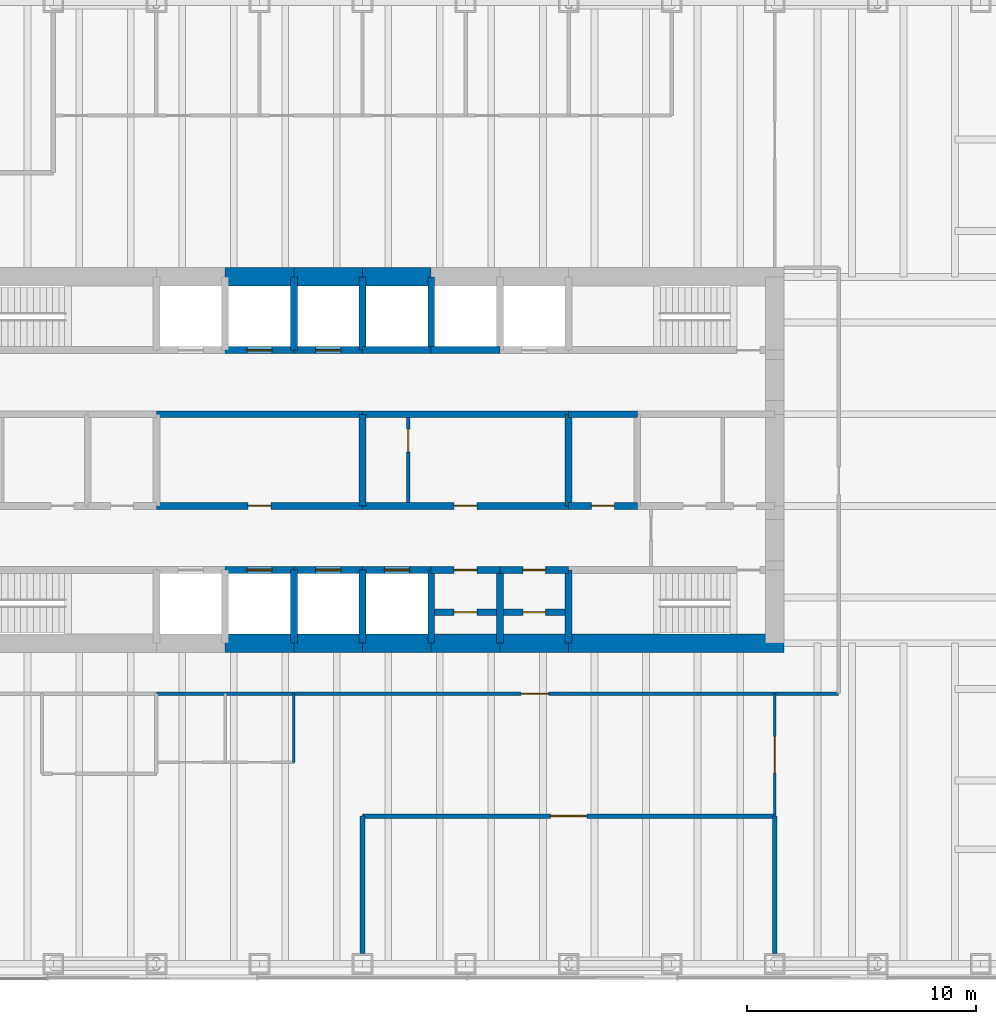
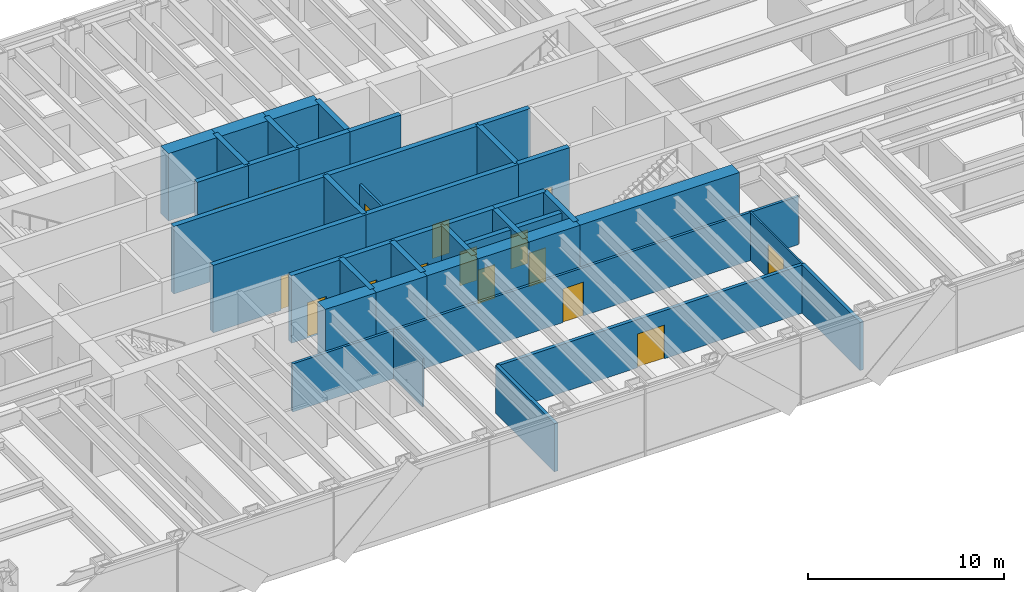
# One storey, part 11 of 14: 43 walls, 16 doors, 16 openings.
"""IFC4 building model written with IfcOpenShell, lengths in metres."""

import ifcopenshell
import ifcopenshell.guid

model = None  # the IFC model being written
_history = None  # IfcOwnerHistory: only IFC2X3 demands one
_inside = {}  # id of a spatial element -> (the spatial element, [elements in it])
_under = {}  # id of a project, library or spatial element -> (it, [spatial elements below it])
_declared = {}  # id of a project -> (the project, [libraries it declares])
_typed = {}  # id of a type object -> (the type object, [elements of that type])
_made_of = {}  # id of a material, layer set ... -> (it, [elements and type objects made of it])


def new_model(schema):
    """Start an empty IFC model of exactly this schema.

    Asked for "IFC4X3", IfcOpenShell would pick the latest addendum, in which some entities
    have other attributes; the version numbers below select the first issue.
    IFC2X3 requires an IfcOwnerHistory on every rooted entity: one is made here for all.
    """
    global model, _history
    if schema == "IFC4X3":
        model = ifcopenshell.file(schema_version=(4, 3, 0, 0))
    else:
        model = ifcopenshell.file(schema=schema)
    _inside.clear()
    _under.clear()
    _declared.clear()
    _typed.clear()
    _made_of.clear()
    _history = None
    if model.schema == "IFC2X3":
        org = make("IfcOrganization", Name="unknown")
        user = make(
            "IfcPersonAndOrganization",
            ThePerson=make("IfcPerson", FamilyName="unknown"),
            TheOrganization=org,
        )
        app = make(
            "IfcApplication",
            ApplicationDeveloper=org,
            Version="unknown",
            ApplicationFullName="unknown",
            ApplicationIdentifier="unknown",
        )
        _history = make(
            "IfcOwnerHistory",
            OwningUser=user,
            OwningApplication=app,
            ChangeAction="ADDED",
            CreationDate=0,
        )
    return model


def make(cls, **values):
    """One entity of the class cls with the attributes given. An attribute that is None is left unset."""
    return model.create_entity(
        cls, **{name: value for name, value in values.items() if value is not None}
    )


def rooted(cls, **values):
    """An entity with a GlobalId (a new one), such as an element, a storey or a relation."""
    return make(cls, GlobalId=ifcopenshell.guid.new(), OwnerHistory=_history, **values)


def si_unit(unit_type, name, prefix=None):
    """IfcSIUnit, for example si_unit("LENGTHUNIT", "METRE", prefix="MILLI")."""
    return make("IfcSIUnit", UnitType=unit_type, Prefix=prefix, Name=name)


def assignment(units):
    """IfcUnitAssignment: the units of a project."""
    return None if units is None else make("IfcUnitAssignment", Units=units)


def point(xyz):
    """IfcCartesianPoint."""
    return None if xyz is None else make("IfcCartesianPoint", Coordinates=xyz)


def direction(xyz):
    """IfcDirection."""
    return None if xyz is None else make("IfcDirection", DirectionRatios=xyz)


def frame(location, z_axis=None, x_axis=None):
    """IfcAxis2Placement3D, a coordinate frame: its origin and axes. An axis left out is left unset."""
    return make(
        "IfcAxis2Placement3D",
        Location=point(location),
        Axis=direction(z_axis),
        RefDirection=direction(x_axis),
    )


def frame_2d(location, x_axis=None):
    """IfcAxis2Placement2D, a coordinate frame in the plane: its origin and x axis."""
    return make(
        "IfcAxis2Placement2D", Location=point(location), RefDirection=direction(x_axis)
    )


def origin():
    """The frame at (0, 0, 0) with its axes left unset."""
    return frame((0.0, 0.0, 0.0))


def place(relative_to, where):
    """IfcLocalPlacement: puts the frame where relative to a parent placement (None: the world)."""
    return make(
        "IfcLocalPlacement", PlacementRelTo=relative_to, RelativePlacement=where
    )


def context(
    kind, dimensions, precision=None, world=None, true_north=None, identifier=None
):
    """IfcGeometricRepresentationContext, for example the 3D "Model" context."""
    return make(
        "IfcGeometricRepresentationContext",
        ContextIdentifier=identifier,
        ContextType=kind,
        CoordinateSpaceDimension=dimensions,
        Precision=precision,
        WorldCoordinateSystem=world,
        TrueNorth=true_north,
    )


def subcontext(parent, identifier, kind, view, scale=None):
    """IfcGeometricRepresentationSubContext, for example "Body" below "Model"."""
    return make(
        "IfcGeometricRepresentationSubContext",
        ContextIdentifier=identifier,
        ContextType=kind,
        ParentContext=parent,
        TargetScale=scale,
        TargetView=view,
    )


def project(units=None, contexts=None):
    """IfcProject with its units and contexts."""
    return rooted(
        "IfcProject",
        Name="project",
        RepresentationContexts=contexts,
        UnitsInContext=assignment(units),
    )


def spatial(cls, under=None, at=None, **own):
    """A site, building, storey or space (cls), placed at a placement, below another one or the project."""
    s = rooted(cls, ObjectPlacement=at, **own)
    if under is not None:
        _under.setdefault(under.id(), (under, []))[1].append(s)
    return s


def profile(cls, at=None, kind="AREA", **sizes):
    """A parametric profile (cls). Its sizes go by their IFC names, for example OverallWidth=200.0."""
    return make(cls, ProfileType=kind, Position=at, **sizes)


def rectangle(**sizes):
    """IfcRectangleProfileDef."""
    return profile("IfcRectangleProfileDef", **sizes)


def extrude(swept, where, along, depth):
    """IfcExtrudedAreaSolid: the profile swept, set in the frame where, extruded along a direction by depth."""
    return make(
        "IfcExtrudedAreaSolid",
        SweptArea=swept,
        Position=where,
        ExtrudedDirection=direction(along),
        Depth=depth,
    )


def shape(context_of_items, identifier, shape_type, items):
    """IfcShapeRepresentation: the items that make up one representation, for example the "Body"."""
    return make(
        "IfcShapeRepresentation",
        ContextOfItems=context_of_items,
        RepresentationIdentifier=identifier,
        RepresentationType=shape_type,
        Items=items,
    )


def material(Name=None, Category=None):
    """IfcMaterial."""
    return make("IfcMaterial", Name=Name, Category=Category)


def layer(
    of_material, thickness, ventilated=None, Name=None, Category=None, Priority=None
):
    """IfcMaterialLayer: one layer of a wall or slab, of a material (None: an air gap)."""
    return make(
        "IfcMaterialLayer",
        Material=of_material,
        LayerThickness=thickness,
        IsVentilated=ventilated,
        Name=Name,
        Category=Category,
        Priority=Priority,
    )


def layer_set(layers, Name=None):
    """IfcMaterialLayerSet."""
    return make("IfcMaterialLayerSet", MaterialLayers=layers, LayerSetName=Name)


def made_of(thing, what):
    """Note that an element or type object is made of a material, layer set ...; save() writes the relation."""
    if what is not None:
        _made_of.setdefault(what.id(), (what, []))[1].append(thing)
    return thing


def type_object(cls, material=None, **own):
    """A type object (cls), such as IfcWallType, which elements share."""
    return made_of(rooted(cls, **own), material)


def element(
    cls,
    number,
    at=None,
    inside=None,
    cuts=None,
    type_object=None,
    material=None,
    context=None,
    identifier="Body",
    shape_type=None,
    held_by="IfcProductDefinitionShape",
    body=None,
    shapes=None,
    **own,
):
    """One element of the class cls, such as IfcWall. Its Tag is "e" and its number.

    at: its placement. inside: the storey or other place that contains it. cuts: it is an
    opening in that element (IfcRelVoidsElement). A single representation is given by context,
    identifier, shape_type and body (its items); several are given by shapes. held_by: the class
    of the entity that holds the representations. save() writes the other relations.
    """
    e = rooted(cls, Tag="e%d" % number, ObjectPlacement=at, **own)
    if body is not None:
        shapes = [shape(context, identifier, shape_type, body)]
    if shapes is not None:
        e.Representation = make(held_by, Representations=shapes)
    if inside is not None:
        _inside.setdefault(inside.id(), (inside, []))[1].append(e)
    if cuts is not None:
        rooted(
            "IfcRelVoidsElement", RelatingBuildingElement=cuts, RelatedOpeningElement=e
        )
    if type_object is not None:
        _typed.setdefault(type_object.id(), (type_object, []))[1].append(e)
    return made_of(e, material)


def fill(opening, filler):
    """IfcRelFillsElement: the door or window that sits in an opening."""
    return rooted(
        "IfcRelFillsElement",
        RelatingOpeningElement=opening,
        RelatedBuildingElement=filler,
    )


def aggregate(whole, parts):
    """IfcRelAggregates: a whole, such as a stair, and the parts it consists of."""
    return rooted("IfcRelAggregates", RelatingObject=whole, RelatedObjects=parts)


def save(model, path):
    """Write the relations noted so far, then the file.

    IfcRelAggregates (storeys below a building ...), IfcRelContainedInSpatialStructure (elements
    in a storey), IfcRelDefinesByType, IfcRelAssociatesMaterial and IfcRelDeclares: one each for
    every whole, place, type object, material and project.
    """
    for whole, parts in _under.values():
        aggregate(whole, parts)
    for where, things in _inside.values():
        rooted(
            "IfcRelContainedInSpatialStructure",
            RelatedElements=things,
            RelatingStructure=where,
        )
    for kind, things in _typed.values():
        rooted("IfcRelDefinesByType", RelatedObjects=things, RelatingType=kind)
    for what, things in _made_of.values():
        rooted("IfcRelAssociatesMaterial", RelatedObjects=things, RelatingMaterial=what)
    for by, libraries in _declared.values():
        rooted("IfcRelDeclares", RelatingContext=by, RelatedDefinitions=libraries)
    model.write(path)


model = new_model("IFC4")

# Units and contexts
model_context = context("Model", 3, precision=1e-05, world=origin(), true_north=direction((0.0, 1.0)))
body_context = subcontext(model_context, "Body", "Model", "MODEL_VIEW")
ifc_project = project(units=[si_unit("LENGTHUNIT", "METRE"), si_unit("AREAUNIT", "SQUARE_METRE"), si_unit("VOLUMEUNIT", "CUBIC_METRE"), si_unit("PLANEANGLEUNIT", "RADIAN"), si_unit("MASSUNIT", "GRAM", prefix="KILO")], contexts=[model_context])

# Site, building, storey
site_placement = place(None, origin())
site = spatial("IfcSite", under=ifc_project, at=site_placement, CompositionType="ELEMENT")
building_placement = place(site_placement, origin())
building = spatial("IfcBuilding", under=site, at=building_placement, Name="Rheinbord Bourse Tower", CompositionType="ELEMENT")
storey_placement = place(building_placement, frame((0.0, 0.0, 232.0)))
storey = spatial("IfcBuildingStorey", under=building, at=storey_placement, Name="L52", CompositionType="ELEMENT", Elevation=232.0)

# Wall, opening, door
ifc_material_1 = material(Name="Acoustic gypsum board partition", Category="gypsum board")
ifc_layer_1 = layer(ifc_material_1, 0.199951171875)
ifc_layer_set_1 = layer_set([ifc_layer_1], Name="ACOUSTIC PARTITION 200")
wall_type_1 = type_object("IfcWallType", Name="ACOUSTIC PARTITION 200", PredefinedType="PARTITIONING", material=ifc_layer_set_1)
wall_1_placement = place(storey_placement, frame((36.0, 8.449951171875, 0.0), z_axis=(0.0, 0.0, 1.0), x_axis=(1.0, 0.0, 0.0)))
wall_1 = element("IfcWall", 1, at=wall_1_placement, inside=storey, type_object=wall_type_1, Name="Partition L52-01", PredefinedType="PARTITIONING", context=body_context, shape_type="SweptSolid", body=[
    extrude(rectangle(XDim=18.0, YDim=0.199951171875, at=frame_2d((9.0, 0.0))), origin(), (0.0, 0.0, 1.0), 3.0),
])
opening_1_placement = place(wall_1_placement, frame((8.199951171875, 0.0, 0.0)))
opening_1 = element("IfcOpeningElement", 2, at=opening_1_placement, cuts=wall_1, Name="Opening 52D01", PredefinedType="OPENING", context=body_context, shape_type="SweptSolid", body=[
    extrude(rectangle(XDim=1.60009765625, YDim=2.10009765625, at=frame_2d((0.800048828125, 1.050048828125))), frame((0.0, 0.10986328125, 0.0), z_axis=(0.0, -1.0, 0.0), x_axis=(1.0, 0.0, 0.0)), (0.0, 0.0, 1.0), 0.219970703125),
])
ifc_material_2 = material(Name="Timber door", Category="wood")
door_type_1 = type_object("IfcDoorType", Name="DOUBLE ROOM DOOR 1600", OperationType="DOUBLE_DOOR_DOUBLE_SWING", PredefinedType="DOOR", material=ifc_material_2)
door_1_placement = place(opening_1_placement, origin())
door_1 = element("IfcDoor", 3, at=door_1_placement, inside=storey, type_object=door_type_1, Name="Dealing room door L52", OperationType="SINGLE_SWING_LEFT", OverallHeight=2.10009765625, OverallWidth=1.60009765625, PredefinedType="DOOR", context=body_context, shape_type="SweptSolid", body=[
    extrude(rectangle(XDim=1.60009765625, YDim=2.10009765625, at=frame_2d((0.800048828125, 1.050048828125))), frame((0.0, 0.02490234375, 0.0), z_axis=(0.0, -1.0, 0.0), x_axis=(1.0, 0.0, 0.0)), (0.0, 0.0, 1.0), 0.050048828125),
])
fill(opening_1, door_1)

# Walls
for number, where, z_axis, x_axis, name in (
    (4, (36.0, 2.449951171875, 0.0), (0.0, 0.0, 1.0), (0.0, 1.0, 0.0), "Partition L52-32"),
    (5, (54.0, 2.449951171875, 0.0), (0.0, 0.0, 1.0), (0.0, 1.0, 0.0), "Partition L52-37"),
):
    element("IfcWall", number, at=place(storey_placement, frame(where, z_axis=z_axis, x_axis=x_axis)), inside=storey, type_object=wall_type_1, Name=name, PredefinedType="PARTITIONING", context=body_context, shape_type="SweptSolid", body=[
        extrude(rectangle(XDim=6.0, YDim=0.199951171875, at=frame_2d((3.0, 0.0))), origin(), (0.0, 0.0, 1.0), 3.0),
    ])

# Wall, opening, door
ifc_material_3 = material(Name="Concrete C50/60", Category="concrete")
ifc_layer_2 = layer(ifc_material_3, 0.300048828125)
ifc_layer_set_2 = layer_set([ifc_layer_2], Name="CORE INNER WALL 300")
wall_type_2 = type_object("IfcWallType", Name="CORE INNER WALL 300", PredefinedType="SOLIDWALL", material=ifc_layer_set_2)
wall_2_placement = place(storey_placement, frame((30.0, 19.199951171875, 0.0), z_axis=(0.0, 0.0, 1.0), x_axis=(1.0, 0.0, 0.0)))
wall_2 = element("IfcWall", 6, at=wall_2_placement, inside=storey, type_object=wall_type_2, Name="Core wall A3 L52", PredefinedType="SOLIDWALL", context=body_context, shape_type="SweptSolid", body=[
    extrude(rectangle(XDim=3.0, YDim=0.300048828125, at=frame_2d((1.5, 0.0))), origin(), (0.0, 0.0, 1.0), 4.199951171875),
])
opening_2_placement = place(wall_2_placement, frame((0.949951171875, 0.0, 0.0)))
opening_2 = element("IfcOpeningElement", 7, at=opening_2_placement, cuts=wall_2, Name="Opening PC1", PredefinedType="OPENING", context=body_context, shape_type="SweptSolid", body=[
    extrude(rectangle(XDim=1.10009765625, YDim=2.199951171875, at=frame_2d((0.550048828125, 1.10009765625))), frame((0.0, 0.159912109375, 0.0), z_axis=(0.0, -1.0, 0.0), x_axis=(1.0, 0.0, 0.0)), (0.0, 0.0, 1.0), 0.320068359375),
])
ifc_material_4 = material(Name="Steel landing door", Category="steel")
door_type_2 = type_object("IfcDoorType", Name="LIFT LANDING DOOR 1100", OperationType="DOUBLE_DOOR_SLIDING", PredefinedType="USERDEFINED", material=ifc_material_4)
door_2_placement = place(opening_2_placement, origin())
door_2 = element("IfcDoor", 8, at=door_2_placement, inside=storey, type_object=door_type_2, Name="Lift landing door PC1 L52", ObjectType="LIFT LANDING DOOR", OperationType="DOUBLE_DOOR_SLIDING", OverallHeight=2.199951171875, OverallWidth=1.10009765625, PredefinedType="USERDEFINED", context=body_context, shape_type="SweptSolid", body=[
    extrude(rectangle(XDim=1.10009765625, YDim=2.199951171875, at=frame_2d((0.550048828125, 1.10009765625))), frame((0.0, 0.02490234375, 0.0), z_axis=(0.0, -1.0, 0.0), x_axis=(1.0, 0.0, 0.0)), (0.0, 0.0, 1.0), 0.050048828125),
])
fill(opening_2, door_2)

wall_3_placement = place(storey_placement, frame((33.0, 19.199951171875, 0.0), z_axis=(0.0, 0.0, 1.0), x_axis=(1.0, 0.0, 0.0)))
wall_3 = element("IfcWall", 9, at=wall_3_placement, inside=storey, type_object=wall_type_2, Name="Core wall A4 L52", PredefinedType="SOLIDWALL", context=body_context, shape_type="SweptSolid", body=[
    extrude(rectangle(XDim=3.0, YDim=0.300048828125, at=frame_2d((1.5, 0.0))), origin(), (0.0, 0.0, 1.0), 4.199951171875),
])
opening_3_placement = place(wall_3_placement, frame((0.949951171875, 0.0, 0.0)))
opening_3 = element("IfcOpeningElement", 10, at=opening_3_placement, cuts=wall_3, Name="Opening PC2", PredefinedType="OPENING", context=body_context, shape_type="SweptSolid", body=[
    extrude(rectangle(XDim=1.10009765625, YDim=2.199951171875, at=frame_2d((0.550048828125, 1.10009765625))), frame((0.0, 0.159912109375, 0.0), z_axis=(0.0, -1.0, 0.0), x_axis=(1.0, 0.0, 0.0)), (0.0, 0.0, 1.0), 0.320068359375),
])
door_3_placement = place(opening_3_placement, origin())
door_3 = element("IfcDoor", 11, at=door_3_placement, inside=storey, type_object=door_type_2, Name="Lift landing door PC2 L52", ObjectType="LIFT LANDING DOOR", OperationType="DOUBLE_DOOR_SLIDING", OverallHeight=2.199951171875, OverallWidth=1.10009765625, PredefinedType="USERDEFINED", context=body_context, shape_type="SweptSolid", body=[
    extrude(rectangle(XDim=1.10009765625, YDim=2.199951171875, at=frame_2d((0.550048828125, 1.10009765625))), frame((0.0, 0.02490234375, 0.0), z_axis=(0.0, -1.0, 0.0), x_axis=(1.0, 0.0, 0.0)), (0.0, 0.0, 1.0), 0.050048828125),
])
fill(opening_3, door_3)

wall_4_placement = place(storey_placement, frame((36.0, 19.199951171875, 0.0), z_axis=(0.0, 0.0, 1.0), x_axis=(1.0, 0.0, 0.0)))
wall_4 = element("IfcWall", 12, at=wall_4_placement, inside=storey, type_object=wall_type_2, Name="Core wall A5 L52", PredefinedType="SOLIDWALL", context=body_context, shape_type="SweptSolid", body=[
    extrude(rectangle(XDim=3.0, YDim=0.300048828125, at=frame_2d((1.5, 0.0))), origin(), (0.0, 0.0, 1.0), 4.199951171875),
])
opening_4_placement = place(wall_4_placement, frame((0.949951171875, 0.0, 0.0)))
opening_4 = element("IfcOpeningElement", 13, at=opening_4_placement, cuts=wall_4, Name="Opening PC3", PredefinedType="OPENING", context=body_context, shape_type="SweptSolid", body=[
    extrude(rectangle(XDim=1.10009765625, YDim=2.199951171875, at=frame_2d((0.550048828125, 1.10009765625))), frame((0.0, 0.159912109375, 0.0), z_axis=(0.0, -1.0, 0.0), x_axis=(1.0, 0.0, 0.0)), (0.0, 0.0, 1.0), 0.320068359375),
])
door_4_placement = place(opening_4_placement, origin())
door_4 = element("IfcDoor", 14, at=door_4_placement, inside=storey, type_object=door_type_2, Name="Lift landing door PC3 L52", ObjectType="LIFT LANDING DOOR", OperationType="DOUBLE_DOOR_SLIDING", OverallHeight=2.199951171875, OverallWidth=1.10009765625, PredefinedType="USERDEFINED", context=body_context, shape_type="SweptSolid", body=[
    extrude(rectangle(XDim=1.10009765625, YDim=2.199951171875, at=frame_2d((0.550048828125, 1.10009765625))), frame((0.0, 0.02490234375, 0.0), z_axis=(0.0, -1.0, 0.0), x_axis=(1.0, 0.0, 0.0)), (0.0, 0.0, 1.0), 0.050048828125),
])
fill(opening_4, door_4)

wall_5_placement = place(storey_placement, frame((39.0, 19.199951171875, 0.0), z_axis=(0.0, 0.0, 1.0), x_axis=(1.0, 0.0, 0.0)))
wall_5 = element("IfcWall", 15, at=wall_5_placement, inside=storey, type_object=wall_type_2, Name="Core wall A6 L52", PredefinedType="SOLIDWALL", context=body_context, shape_type="SweptSolid", body=[
    extrude(rectangle(XDim=3.0, YDim=0.300048828125, at=frame_2d((1.5, 0.0))), origin(), (0.0, 0.0, 1.0), 4.199951171875),
])
opening_5_placement = place(wall_5_placement, frame((1.0, 0.0, 0.0)))
opening_5 = element("IfcOpeningElement", 16, at=opening_5_placement, cuts=wall_5, Name="Opening 52R8", PredefinedType="OPENING", context=body_context, shape_type="SweptSolid", body=[
    extrude(rectangle(XDim=1.0, YDim=2.10009765625, at=frame_2d((0.5, 1.050048828125))), frame((0.0, 0.159912109375, 0.0), z_axis=(0.0, -1.0, 0.0), x_axis=(1.0, 0.0, 0.0)), (0.0, 0.0, 1.0), 0.320068359375),
])
ifc_material_5 = material(Name="Steel door", Category="steel")
door_type_3 = type_object("IfcDoorType", Name="DOOR 1000 EI30", OperationType="SINGLE_SWING_LEFT", PredefinedType="DOOR", material=ifc_material_5)
door_5_placement = place(opening_5_placement, origin())
door_5 = element("IfcDoor", 17, at=door_5_placement, inside=storey, type_object=door_type_3, Name="Mail room door L52", OperationType="SINGLE_SWING_LEFT", OverallHeight=2.10009765625, OverallWidth=1.0, PredefinedType="DOOR", context=body_context, shape_type="SweptSolid", body=[
    extrude(rectangle(XDim=1.0, YDim=2.10009765625, at=frame_2d((0.5, 1.050048828125))), frame((0.0, 0.02490234375, 0.0), z_axis=(0.0, -1.0, 0.0), x_axis=(1.0, 0.0, 0.0)), (0.0, 0.0, 1.0), 0.050048828125),
])
fill(opening_5, door_5)

wall_6_placement = place(storey_placement, frame((42.0, 19.199951171875, 0.0), z_axis=(0.0, 0.0, 1.0), x_axis=(1.0, 0.0, 0.0)))
wall_6 = element("IfcWall", 18, at=wall_6_placement, inside=storey, type_object=wall_type_2, Name="Core wall A7 L52", PredefinedType="SOLIDWALL", context=body_context, shape_type="SweptSolid", body=[
    extrude(rectangle(XDim=3.0, YDim=0.300048828125, at=frame_2d((1.5, 0.0))), origin(), (0.0, 0.0, 1.0), 4.199951171875),
])
opening_6_placement = place(wall_6_placement, frame((1.0, 0.0, 0.0)))
opening_6 = element("IfcOpeningElement", 19, at=opening_6_placement, cuts=wall_6, Name="Opening 52R9", PredefinedType="OPENING", context=body_context, shape_type="SweptSolid", body=[
    extrude(rectangle(XDim=1.0, YDim=2.10009765625, at=frame_2d((0.5, 1.050048828125))), frame((0.0, 0.159912109375, 0.0), z_axis=(0.0, -1.0, 0.0), x_axis=(1.0, 0.0, 0.0)), (0.0, 0.0, 1.0), 0.320068359375),
])
door_6_placement = place(opening_6_placement, origin())
door_6 = element("IfcDoor", 20, at=door_6_placement, inside=storey, type_object=door_type_3, Name="Stationery store door L52", OperationType="SINGLE_SWING_LEFT", OverallHeight=2.10009765625, OverallWidth=1.0, PredefinedType="DOOR", context=body_context, shape_type="SweptSolid", body=[
    extrude(rectangle(XDim=1.0, YDim=2.10009765625, at=frame_2d((0.5, 1.050048828125))), frame((0.0, 0.02490234375, 0.0), z_axis=(0.0, -1.0, 0.0), x_axis=(1.0, 0.0, 0.0)), (0.0, 0.0, 1.0), 0.050048828125),
])
fill(opening_6, door_6)

wall_7_placement = place(storey_placement, frame((30.0, 28.800048828125, 0.0), z_axis=(0.0, 0.0, 1.0), x_axis=(1.0, 0.0, 0.0)))
wall_7 = element("IfcWall", 21, at=wall_7_placement, inside=storey, type_object=wall_type_2, Name="Core wall B3 L52", PredefinedType="SOLIDWALL", context=body_context, shape_type="SweptSolid", body=[
    extrude(rectangle(XDim=3.0, YDim=0.300048828125, at=frame_2d((1.5, 0.0))), origin(), (0.0, 0.0, 1.0), 4.199951171875),
])
opening_7_placement = place(wall_7_placement, frame((0.949951171875, 0.0, 0.0)))
opening_7 = element("IfcOpeningElement", 22, at=opening_7_placement, cuts=wall_7, Name="Opening PC4", PredefinedType="OPENING", context=body_context, shape_type="SweptSolid", body=[
    extrude(rectangle(XDim=1.10009765625, YDim=2.199951171875, at=frame_2d((0.550048828125, 1.10009765625))), frame((0.0, 0.159912109375, 0.0), z_axis=(0.0, -1.0, 0.0), x_axis=(1.0, 0.0, 0.0)), (0.0, 0.0, 1.0), 0.320068359375),
])
door_7_placement = place(opening_7_placement, origin())
door_7 = element("IfcDoor", 23, at=door_7_placement, inside=storey, type_object=door_type_2, Name="Lift landing door PC4 L52", ObjectType="LIFT LANDING DOOR", OperationType="DOUBLE_DOOR_SLIDING", OverallHeight=2.199951171875, OverallWidth=1.10009765625, PredefinedType="USERDEFINED", context=body_context, shape_type="SweptSolid", body=[
    extrude(rectangle(XDim=1.10009765625, YDim=2.199951171875, at=frame_2d((0.550048828125, 1.10009765625))), frame((0.0, 0.02490234375, 0.0), z_axis=(0.0, -1.0, 0.0), x_axis=(1.0, 0.0, 0.0)), (0.0, 0.0, 1.0), 0.050048828125),
])
fill(opening_7, door_7)

wall_8_placement = place(storey_placement, frame((33.0, 28.800048828125, 0.0), z_axis=(0.0, 0.0, 1.0), x_axis=(1.0, 0.0, 0.0)))
wall_8 = element("IfcWall", 24, at=wall_8_placement, inside=storey, type_object=wall_type_2, Name="Core wall B4 L52", PredefinedType="SOLIDWALL", context=body_context, shape_type="SweptSolid", body=[
    extrude(rectangle(XDim=3.0, YDim=0.300048828125, at=frame_2d((1.5, 0.0))), origin(), (0.0, 0.0, 1.0), 4.199951171875),
])
opening_8_placement = place(wall_8_placement, frame((0.949951171875, 0.0, 0.0)))
opening_8 = element("IfcOpeningElement", 25, at=opening_8_placement, cuts=wall_8, Name="Opening PC5", PredefinedType="OPENING", context=body_context, shape_type="SweptSolid", body=[
    extrude(rectangle(XDim=1.10009765625, YDim=2.199951171875, at=frame_2d((0.550048828125, 1.10009765625))), frame((0.0, 0.159912109375, 0.0), z_axis=(0.0, -1.0, 0.0), x_axis=(1.0, 0.0, 0.0)), (0.0, 0.0, 1.0), 0.320068359375),
])
door_8_placement = place(opening_8_placement, origin())
door_8 = element("IfcDoor", 26, at=door_8_placement, inside=storey, type_object=door_type_2, Name="Lift landing door PC5 L52", ObjectType="LIFT LANDING DOOR", OperationType="DOUBLE_DOOR_SLIDING", OverallHeight=2.199951171875, OverallWidth=1.10009765625, PredefinedType="USERDEFINED", context=body_context, shape_type="SweptSolid", body=[
    extrude(rectangle(XDim=1.10009765625, YDim=2.199951171875, at=frame_2d((0.550048828125, 1.10009765625))), frame((0.0, 0.02490234375, 0.0), z_axis=(0.0, -1.0, 0.0), x_axis=(1.0, 0.0, 0.0)), (0.0, 0.0, 1.0), 0.050048828125),
])
fill(opening_8, door_8)

# Walls
for number, where, z_axis, x_axis, name in (
    (27, (36.0, 28.800048828125, 0.0), (0.0, 0.0, 1.0), (1.0, 0.0, 0.0), "Core wall B5 L52"),
    (28, (39.0, 28.800048828125, 0.0), (0.0, 0.0, 1.0), (1.0, 0.0, 0.0), "Core wall B6 L52"),
):
    element("IfcWall", number, at=place(storey_placement, frame(where, z_axis=z_axis, x_axis=x_axis)), inside=storey, type_object=wall_type_2, Name=name, PredefinedType="SOLIDWALL", context=body_context, shape_type="SweptSolid", body=[
        extrude(rectangle(XDim=3.0, YDim=0.300048828125, at=frame_2d((1.5, 0.0))), origin(), (0.0, 0.0, 1.0), 4.199951171875),
    ])

# Wall, opening, door
wall_9_placement = place(storey_placement, frame((27.0, 22.0, 0.0), z_axis=(0.0, 0.0, 1.0), x_axis=(1.0, 0.0, 0.0)))
wall_9 = element("IfcWall", 29, at=wall_9_placement, inside=storey, type_object=wall_type_2, Name="Core wall C3 L52", PredefinedType="SOLIDWALL", context=body_context, shape_type="SweptSolid", body=[
    extrude(rectangle(XDim=9.0, YDim=0.300048828125, at=frame_2d((4.5, 0.0))), origin(), (0.0, 0.0, 1.0), 4.199951171875),
])
opening_9_placement = place(wall_9_placement, frame((4.0, 0.0, 0.0)))
opening_9 = element("IfcOpeningElement", 30, at=opening_9_placement, cuts=wall_9, Name="Opening 52R3", PredefinedType="OPENING", context=body_context, shape_type="SweptSolid", body=[
    extrude(rectangle(XDim=1.0, YDim=2.10009765625, at=frame_2d((0.5, 1.050048828125))), frame((0.0, 0.159912109375, 0.0), z_axis=(0.0, -1.0, 0.0), x_axis=(1.0, 0.0, 0.0)), (0.0, 0.0, 1.0), 0.320068359375),
])
door_9_placement = place(opening_9_placement, origin())
door_9 = element("IfcDoor", 31, at=door_9_placement, inside=storey, type_object=door_type_3, Name="Riser door L52", OperationType="SINGLE_SWING_LEFT", OverallHeight=2.10009765625, OverallWidth=1.0, PredefinedType="DOOR", context=body_context, shape_type="SweptSolid", body=[
    extrude(rectangle(XDim=1.0, YDim=2.10009765625, at=frame_2d((0.5, 1.050048828125))), frame((0.0, 0.02490234375, 0.0), z_axis=(0.0, -1.0, 0.0), x_axis=(1.0, 0.0, 0.0)), (0.0, 0.0, 1.0), 0.050048828125),
])
fill(opening_9, door_9)

wall_10_placement = place(storey_placement, frame((36.0, 22.0, 0.0), z_axis=(0.0, 0.0, 1.0), x_axis=(1.0, 0.0, 0.0)))
wall_10 = element("IfcWall", 32, at=wall_10_placement, inside=storey, type_object=wall_type_2, Name="Core wall C4 L52", PredefinedType="SOLIDWALL", context=body_context, shape_type="SweptSolid", body=[
    extrude(rectangle(XDim=9.0, YDim=0.300048828125, at=frame_2d((4.5, 0.0))), origin(), (0.0, 0.0, 1.0), 4.199951171875),
])
opening_10_placement = place(wall_10_placement, frame((4.0, 0.0, 0.0)))
opening_10 = element("IfcOpeningElement", 33, at=opening_10_placement, cuts=wall_10, Name="Opening 52R4", PredefinedType="OPENING", context=body_context, shape_type="SweptSolid", body=[
    extrude(rectangle(XDim=1.0, YDim=2.10009765625, at=frame_2d((0.5, 1.050048828125))), frame((0.0, 0.159912109375, 0.0), z_axis=(0.0, -1.0, 0.0), x_axis=(1.0, 0.0, 0.0)), (0.0, 0.0, 1.0), 0.320068359375),
])
door_10_placement = place(opening_10_placement, origin())
door_10 = element("IfcDoor", 34, at=door_10_placement, inside=storey, type_object=door_type_3, Name="Staff locker room door L52", OperationType="SINGLE_SWING_LEFT", OverallHeight=2.10009765625, OverallWidth=1.0, PredefinedType="DOOR", context=body_context, shape_type="SweptSolid", body=[
    extrude(rectangle(XDim=1.0, YDim=2.10009765625, at=frame_2d((0.5, 1.050048828125))), frame((0.0, 0.02490234375, 0.0), z_axis=(0.0, -1.0, 0.0), x_axis=(1.0, 0.0, 0.0)), (0.0, 0.0, 1.0), 0.050048828125),
])
fill(opening_10, door_10)

wall_11_placement = place(storey_placement, frame((45.0, 22.0, 0.0), z_axis=(0.0, 0.0, 1.0), x_axis=(1.0, 0.0, 0.0)))
wall_11 = element("IfcWall", 35, at=wall_11_placement, inside=storey, type_object=wall_type_2, Name="Core wall C5 L52", PredefinedType="SOLIDWALL", context=body_context, shape_type="SweptSolid", body=[
    extrude(rectangle(XDim=3.0, YDim=0.300048828125, at=frame_2d((1.5, 0.0))), origin(), (0.0, 0.0, 1.0), 4.199951171875),
])
opening_11_placement = place(wall_11_placement, frame((1.0, 0.0, 0.0)))
opening_11 = element("IfcOpeningElement", 36, at=opening_11_placement, cuts=wall_11, Name="Opening 52R5", PredefinedType="OPENING", context=body_context, shape_type="SweptSolid", body=[
    extrude(rectangle(XDim=1.0, YDim=2.10009765625, at=frame_2d((0.5, 1.050048828125))), frame((0.0, 0.159912109375, 0.0), z_axis=(0.0, -1.0, 0.0), x_axis=(1.0, 0.0, 0.0)), (0.0, 0.0, 1.0), 0.320068359375),
])
ifc_material_6 = material(Name="Timber door", Category="wood")
door_type_4 = type_object("IfcDoorType", Name="DOOR 1000 WC", OperationType="SINGLE_SWING_LEFT", PredefinedType="DOOR", material=ifc_material_6)
door_11_placement = place(opening_11_placement, origin())
door_11 = element("IfcDoor", 37, at=door_11_placement, inside=storey, type_object=door_type_4, Name="Accessible WC door L52", OperationType="SINGLE_SWING_LEFT", OverallHeight=2.10009765625, OverallWidth=1.0, PredefinedType="DOOR", context=body_context, shape_type="SweptSolid", body=[
    extrude(rectangle(XDim=1.0, YDim=2.10009765625, at=frame_2d((0.5, 1.050048828125))), frame((0.0, 0.02490234375, 0.0), z_axis=(0.0, -1.0, 0.0), x_axis=(1.0, 0.0, 0.0)), (0.0, 0.0, 1.0), 0.050048828125),
])
fill(opening_11, door_11)

# Walls
for number, where, z_axis, x_axis, name in (
    (38, (27.0, 26.0, 0.0), (0.0, 0.0, 1.0), (1.0, 0.0, 0.0), "Core wall D3 L52"),
    (39, (36.0, 26.0, 0.0), (0.0, 0.0, 1.0), (1.0, 0.0, 0.0), "Core wall D4 L52"),
):
    element("IfcWall", number, at=place(storey_placement, frame(where, z_axis=z_axis, x_axis=x_axis)), inside=storey, type_object=wall_type_2, Name=name, PredefinedType="SOLIDWALL", context=body_context, shape_type="SweptSolid", body=[
        extrude(rectangle(XDim=9.0, YDim=0.300048828125, at=frame_2d((4.5, 0.0))), origin(), (0.0, 0.0, 1.0), 4.199951171875),
    ])
wall_12_placement = place(storey_placement, frame((45.0, 26.0, 0.0), z_axis=(0.0, 0.0, 1.0), x_axis=(1.0, 0.0, 0.0)))
element("IfcWall", 40, at=wall_12_placement, inside=storey, type_object=wall_type_2, Name="Core wall D5 L52", PredefinedType="SOLIDWALL", context=body_context, shape_type="SweptSolid", body=[
    extrude(rectangle(XDim=3.0, YDim=0.300048828125, at=frame_2d((1.5, 0.0))), origin(), (0.0, 0.0, 1.0), 4.199951171875),
])
for number, where, z_axis, x_axis, name in (
    (41, (33.0, 16.0, 0.0), (0.0, 0.0, 1.0), (0.0, 1.0, 0.0), "Core wall SX33 L52"),
    (42, (33.0, 28.800048828125, 0.0), (0.0, 0.0, 1.0), (0.0, 1.0, 0.0), "Core wall NX33 L52"),
    (43, (36.0, 16.0, 0.0), (0.0, 0.0, 1.0), (0.0, 1.0, 0.0), "Core wall SX36 L52"),
    (44, (36.0, 28.800048828125, 0.0), (0.0, 0.0, 1.0), (0.0, 1.0, 0.0), "Core wall NX36 L52"),
    (45, (39.0, 16.0, 0.0), (0.0, 0.0, 1.0), (0.0, 1.0, 0.0), "Core wall SX39 L52"),
    (46, (39.0, 28.800048828125, 0.0), (0.0, 0.0, 1.0), (0.0, 1.0, 0.0), "Core wall NX39 L52"),
    (47, (42.0, 16.0, 0.0), (0.0, 0.0, 1.0), (0.0, 1.0, 0.0), "Core wall SX42 L52"),
    (48, (45.0, 16.0, 0.0), (0.0, 0.0, 1.0), (0.0, 1.0, 0.0), "Core wall SX45 L52"),
):
    element("IfcWall", number, at=place(storey_placement, frame(where, z_axis=z_axis, x_axis=x_axis)), inside=storey, type_object=wall_type_2, Name=name, PredefinedType="SOLIDWALL", context=body_context, shape_type="SweptSolid", body=[
        extrude(rectangle(XDim=3.199951171875, YDim=0.300048828125, at=frame_2d((1.60009765625, 0.0))), origin(), (0.0, 0.0, 1.0), 4.199951171875),
    ])
for number, where, z_axis, x_axis, name in (
    (49, (36.0, 22.0, 0.0), (0.0, 0.0, 1.0), (0.0, 1.0, 0.0), "Core wall MX36 L52"),
    (50, (45.0, 22.0, 0.0), (0.0, 0.0, 1.0), (0.0, 1.0, 0.0), "Core wall MX45 L52"),
):
    element("IfcWall", number, at=place(storey_placement, frame(where, z_axis=z_axis, x_axis=x_axis)), inside=storey, type_object=wall_type_2, Name=name, PredefinedType="SOLIDWALL", context=body_context, shape_type="SweptSolid", body=[
        extrude(rectangle(XDim=4.0, YDim=0.300048828125, at=frame_2d((2.0, 0.0))), origin(), (0.0, 0.0, 1.0), 4.199951171875),
    ])

# Wall, opening, door
wall_13_placement = place(storey_placement, frame((39.14990234375, 17.35009765625, 0.0), z_axis=(0.0, 0.0, 1.0), x_axis=(1.0, 0.0, 0.0)))
wall_13 = element("IfcWall", 51, at=wall_13_placement, inside=storey, type_object=wall_type_2, Name="Core riser wall L52-6", PredefinedType="SOLIDWALL", context=body_context, shape_type="SweptSolid", body=[
    extrude(rectangle(XDim=2.7001953125, YDim=0.300048828125, at=frame_2d((1.35009765625, 0.0))), origin(), (0.0, 0.0, 1.0), 4.0400390625),
])
opening_12_placement = place(wall_13_placement, frame((0.85009765625, 0.0, 0.0)))
opening_12 = element("IfcOpeningElement", 52, at=opening_12_placement, cuts=wall_13, Name="Opening 52R12", PredefinedType="OPENING", context=body_context, shape_type="SweptSolid", body=[
    extrude(rectangle(XDim=1.0, YDim=2.10009765625, at=frame_2d((0.5, 1.050048828125))), frame((0.0, 0.159912109375, 0.0), z_axis=(0.0, -1.0, 0.0), x_axis=(1.0, 0.0, 0.0)), (0.0, 0.0, 1.0), 0.320068359375),
])
door_12_placement = place(opening_12_placement, origin())
door_12 = element("IfcDoor", 53, at=door_12_placement, inside=storey, type_object=door_type_3, Name="Comms riser door L52", OperationType="SINGLE_SWING_LEFT", OverallHeight=2.10009765625, OverallWidth=1.0, PredefinedType="DOOR", context=body_context, shape_type="SweptSolid", body=[
    extrude(rectangle(XDim=1.0, YDim=2.10009765625, at=frame_2d((0.5, 1.050048828125))), frame((0.0, 0.02490234375, 0.0), z_axis=(0.0, -1.0, 0.0), x_axis=(1.0, 0.0, 0.0)), (0.0, 0.0, 1.0), 0.050048828125),
])
fill(opening_12, door_12)

wall_14_placement = place(storey_placement, frame((42.14990234375, 17.35009765625, 0.0), z_axis=(0.0, 0.0, 1.0), x_axis=(1.0, 0.0, 0.0)))
wall_14 = element("IfcWall", 54, at=wall_14_placement, inside=storey, type_object=wall_type_2, Name="Core riser wall L52-7", PredefinedType="SOLIDWALL", context=body_context, shape_type="SweptSolid", body=[
    extrude(rectangle(XDim=2.7001953125, YDim=0.300048828125, at=frame_2d((1.35009765625, 0.0))), origin(), (0.0, 0.0, 1.0), 4.0400390625),
])
opening_13_placement = place(wall_14_placement, frame((0.85009765625, 0.0, 0.0)))
opening_13 = element("IfcOpeningElement", 55, at=opening_13_placement, cuts=wall_14, Name="Opening 52R13", PredefinedType="OPENING", context=body_context, shape_type="SweptSolid", body=[
    extrude(rectangle(XDim=1.0, YDim=2.10009765625, at=frame_2d((0.5, 1.050048828125))), frame((0.0, 0.159912109375, 0.0), z_axis=(0.0, -1.0, 0.0), x_axis=(1.0, 0.0, 0.0)), (0.0, 0.0, 1.0), 0.320068359375),
])
door_13_placement = place(opening_13_placement, origin())
door_13 = element("IfcDoor", 56, at=door_13_placement, inside=storey, type_object=door_type_3, Name="Electrical riser door L52", OperationType="SINGLE_SWING_LEFT", OverallHeight=2.10009765625, OverallWidth=1.0, PredefinedType="DOOR", context=body_context, shape_type="SweptSolid", body=[
    extrude(rectangle(XDim=1.0, YDim=2.10009765625, at=frame_2d((0.5, 1.050048828125))), frame((0.0, 0.02490234375, 0.0), z_axis=(0.0, -1.0, 0.0), x_axis=(1.0, 0.0, 0.0)), (0.0, 0.0, 1.0), 0.050048828125),
])
fill(opening_13, door_13)

ifc_material_7 = material(Name="Gypsum board fire partition", Category="gypsum board")
ifc_layer_3 = layer(ifc_material_7, 0.14990234375)
ifc_layer_set_3 = layer_set([ifc_layer_3], Name="CORE PARTITION 150 EI30")
wall_type_3 = type_object("IfcWallType", Name="CORE PARTITION 150 EI30", PredefinedType="PARTITIONING", material=ifc_layer_set_3)
wall_15_placement = place(storey_placement, frame((38.0, 22.14990234375, 0.0), z_axis=(0.0, 0.0, 1.0), x_axis=(0.0, 1.0, 0.0)))
wall_15 = element("IfcWall", 57, at=wall_15_placement, inside=storey, type_object=wall_type_3, Name="Core partition L52-1", PredefinedType="PARTITIONING", context=body_context, shape_type="SweptSolid", body=[
    extrude(rectangle(XDim=3.7001953125, YDim=0.14990234375, at=frame_2d((1.85009765625, 0.0))), origin(), (0.0, 0.0, 1.0), 3.0),
])
opening_14_placement = place(wall_15_placement, frame((2.199951171875, 0.0, 0.0)))
opening_14 = element("IfcOpeningElement", 58, at=opening_14_placement, cuts=wall_15, Name="Opening 52R7", PredefinedType="OPENING", context=body_context, shape_type="SweptSolid", body=[
    extrude(rectangle(XDim=1.0, YDim=2.10009765625, at=frame_2d((0.5, 1.050048828125))), frame((0.0, 0.0849609375, 0.0), z_axis=(0.0, -1.0, 0.0), x_axis=(1.0, 0.0, 0.0)), (0.0, 0.0, 1.0), 0.169921875),
])
door_14_placement = place(opening_14_placement, origin())
door_14 = element("IfcDoor", 59, at=door_14_placement, inside=storey, type_object=door_type_3, Name="Staff shower door L52", OperationType="SINGLE_SWING_RIGHT", OverallHeight=2.10009765625, OverallWidth=1.0, PredefinedType="DOOR", context=body_context, shape_type="SweptSolid", body=[
    extrude(rectangle(XDim=1.0, YDim=2.10009765625, at=frame_2d((0.5, 1.050048828125))), frame((0.0, 0.02490234375, 0.0), z_axis=(0.0, -1.0, 0.0), x_axis=(1.0, 0.0, 0.0)), (0.0, 0.0, 1.0), 0.050048828125),
])
fill(opening_14, door_14)

# Walls
ifc_material_8 = material(Name="Concrete C50/60", Category="concrete")
ifc_layer_4 = layer(ifc_material_8, 0.800048828125)
ifc_layer_set_4 = layer_set([ifc_layer_4], Name="CORE WALL 800")
wall_type_4 = type_object("IfcWallType", Name="CORE WALL 800", PredefinedType="SHEAR", material=ifc_layer_set_4)
for number, where, z_axis, x_axis, name in (
    (60, (30.0, 16.0, 0.0), (0.0, 0.0, 1.0), (1.0, 0.0, 0.0), "Core wall S3 L52"),
    (61, (33.0, 16.0, 0.0), (0.0, 0.0, 1.0), (1.0, 0.0, 0.0), "Core wall S4 L52"),
    (62, (36.0, 16.0, 0.0), (0.0, 0.0, 1.0), (1.0, 0.0, 0.0), "Core wall S5 L52"),
    (63, (39.0, 16.0, 0.0), (0.0, 0.0, 1.0), (1.0, 0.0, 0.0), "Core wall S6 L52"),
    (64, (42.0, 16.0, 0.0), (0.0, 0.0, 1.0), (1.0, 0.0, 0.0), "Core wall S7 L52"),
):
    element("IfcWall", number, at=place(storey_placement, frame(where, z_axis=z_axis, x_axis=x_axis)), inside=storey, type_object=wall_type_4, Name=name, PredefinedType="SHEAR", context=body_context, shape_type="SweptSolid", body=[
        extrude(rectangle(XDim=3.0, YDim=0.800048828125, at=frame_2d((1.5, 0.0))), origin(), (0.0, 0.0, 1.0), 4.199951171875),
    ])
wall_16_placement = place(storey_placement, frame((45.0, 16.0, 0.0), z_axis=(0.0, 0.0, 1.0), x_axis=(1.0, 0.0, 0.0)))
element("IfcWall", 65, at=wall_16_placement, inside=storey, type_object=wall_type_4, Name="Core wall S8 L52", PredefinedType="SHEAR", context=body_context, shape_type="SweptSolid", body=[
    extrude(rectangle(XDim=9.39990234375, YDim=0.800048828125, at=frame_2d((4.699951171875, 0.0))), origin(), (0.0, 0.0, 1.0), 4.199951171875),
])
for number, where, z_axis, x_axis, name in (
    (66, (39.0, 32.0, 0.0), (0.0, 0.0, 1.0), (-1.0, 0.0, 0.0), "Core wall N4 L52"),
    (67, (36.0, 32.0, 0.0), (0.0, 0.0, 1.0), (-1.0, 0.0, 0.0), "Core wall N5 L52"),
    (68, (33.0, 32.0, 0.0), (0.0, 0.0, 1.0), (-1.0, 0.0, 0.0), "Core wall N6 L52"),
):
    element("IfcWall", number, at=place(storey_placement, frame(where, z_axis=z_axis, x_axis=x_axis)), inside=storey, type_object=wall_type_4, Name=name, PredefinedType="SHEAR", context=body_context, shape_type="SweptSolid", body=[
        extrude(rectangle(XDim=3.0, YDim=0.800048828125, at=frame_2d((1.5, 0.0))), origin(), (0.0, 0.0, 1.0), 4.199951171875),
    ])

# Wall, opening, door
ifc_material_9 = material(Name="Gypsum board corridor partition", Category="gypsum board")
ifc_layer_5 = layer(ifc_material_9, 0.14990234375)
ifc_layer_set_5 = layer_set([ifc_layer_5], Name="CORRIDOR PARTITION 150 EI30")
wall_type_5 = type_object("IfcWallType", Name="CORRIDOR PARTITION 150 EI30", PredefinedType="PARTITIONING", material=ifc_layer_set_5)
wall_17_placement = place(storey_placement, frame((27.0, 13.800048828125, 0.0), z_axis=(0.0, 0.0, 1.0), x_axis=(1.0, 0.0, 0.0)))
wall_17 = element("IfcWall", 69, at=wall_17_placement, inside=storey, type_object=wall_type_5, Name="Partition L52-08", PredefinedType="PARTITIONING", context=body_context, shape_type="SweptSolid", body=[
    extrude(rectangle(XDim=29.800048828125, YDim=0.14990234375, at=frame_2d((14.89990234375, 0.0))), origin(), (0.0, 0.0, 1.0), 3.0),
])
opening_15_placement = place(wall_17_placement, frame((15.925048828125, 0.0, 0.0)))
opening_15 = element("IfcOpeningElement", 70, at=opening_15_placement, cuts=wall_17, Name="Opening 52D22", PredefinedType="OPENING", context=body_context, shape_type="SweptSolid", body=[
    extrude(rectangle(XDim=1.199951171875, YDim=2.10009765625, at=frame_2d((0.60009765625, 1.050048828125))), frame((0.0, 0.0849609375, 0.0), z_axis=(0.0, -1.0, 0.0), x_axis=(1.0, 0.0, 0.0)), (0.0, 0.0, 1.0), 0.169921875),
])
ifc_material_10 = material(Name="Timber fire door", Category="wood")
door_type_5 = type_object("IfcDoorType", Name="SUITE ENTRANCE DOOR 1200 EI30", OperationType="SINGLE_SWING_LEFT", PredefinedType="DOOR", material=ifc_material_10)
door_15_placement = place(opening_15_placement, origin())
door_15 = element("IfcDoor", 71, at=door_15_placement, inside=storey, type_object=door_type_5, Name="Suite entrance 3 door L52", OperationType="SINGLE_SWING_RIGHT", OverallHeight=2.10009765625, OverallWidth=1.199951171875, PredefinedType="DOOR", context=body_context, shape_type="SweptSolid", body=[
    extrude(rectangle(XDim=1.199951171875, YDim=2.10009765625, at=frame_2d((0.60009765625, 1.050048828125))), frame((0.0, 0.02490234375, 0.0), z_axis=(0.0, -1.0, 0.0), x_axis=(1.0, 0.0, 0.0)), (0.0, 0.0, 1.0), 0.050048828125),
])
fill(opening_15, door_15)

# Wall
ifc_material_11 = material(Name="Toughened laminated glass partition", Category="glass")
ifc_layer_6 = layer(ifc_material_11, 0.10009765625)
ifc_layer_set_6 = layer_set([ifc_layer_6], Name="GLAZED PARTITION 100")
wall_type_6 = type_object("IfcWallType", Name="GLAZED PARTITION 100", PredefinedType="PARTITIONING", material=ifc_layer_set_6)
wall_18_placement = place(storey_placement, frame((33.0, 10.800048828125, 0.0), z_axis=(0.0, 0.0, 1.0), x_axis=(0.0, 1.0, 0.0)))
element("IfcWall", 72, at=wall_18_placement, inside=storey, type_object=wall_type_6, Name="Partition L52-31", PredefinedType="PARTITIONING", context=body_context, shape_type="SweptSolid", body=[
    extrude(rectangle(XDim=3.0, YDim=0.10009765625, at=frame_2d((1.5, 0.0))), origin(), (0.0, 0.0, 1.0), 3.0),
])

# Wall, opening, door
wall_19_placement = place(storey_placement, frame((54.0, 8.449951171875, 0.0), z_axis=(0.0, 0.0, 1.0), x_axis=(0.0, 1.0, 0.0)))
wall_19 = element("IfcWall", 73, at=wall_19_placement, inside=storey, type_object=wall_type_6, Name="Partition L52-38", PredefinedType="PARTITIONING", context=body_context, shape_type="SweptSolid", body=[
    extrude(rectangle(XDim=5.35009765625, YDim=0.10009765625, at=frame_2d((2.675048828125, 0.0))), origin(), (0.0, 0.0, 1.0), 3.0),
])
opening_16_placement = place(wall_19_placement, frame((1.875, 0.0, 0.0)))
opening_16 = element("IfcOpeningElement", 74, at=opening_16_placement, cuts=wall_19, Name="Opening 52D18", PredefinedType="OPENING", context=body_context, shape_type="SweptSolid", body=[
    extrude(rectangle(XDim=1.60009765625, YDim=2.10009765625, at=frame_2d((0.800048828125, 1.050048828125))), frame((0.0, 0.06005859375, 0.0), z_axis=(0.0, -1.0, 0.0), x_axis=(1.0, 0.0, 0.0)), (0.0, 0.0, 1.0), 0.1201171875),
])
door_16_placement = place(opening_16_placement, origin())
door_16 = element("IfcDoor", 75, at=door_16_placement, inside=storey, type_object=door_type_1, Name="Open area door L52", OperationType="SINGLE_SWING_LEFT", OverallHeight=2.10009765625, OverallWidth=1.60009765625, PredefinedType="DOOR", context=body_context, shape_type="SweptSolid", body=[
    extrude(rectangle(XDim=1.60009765625, YDim=2.10009765625, at=frame_2d((0.800048828125, 1.050048828125))), frame((0.0, 0.02490234375, 0.0), z_axis=(0.0, -1.0, 0.0), x_axis=(1.0, 0.0, 0.0)), (0.0, 0.0, 1.0), 0.050048828125),
])
fill(opening_16, door_16)

save(model, "model.ifc")
